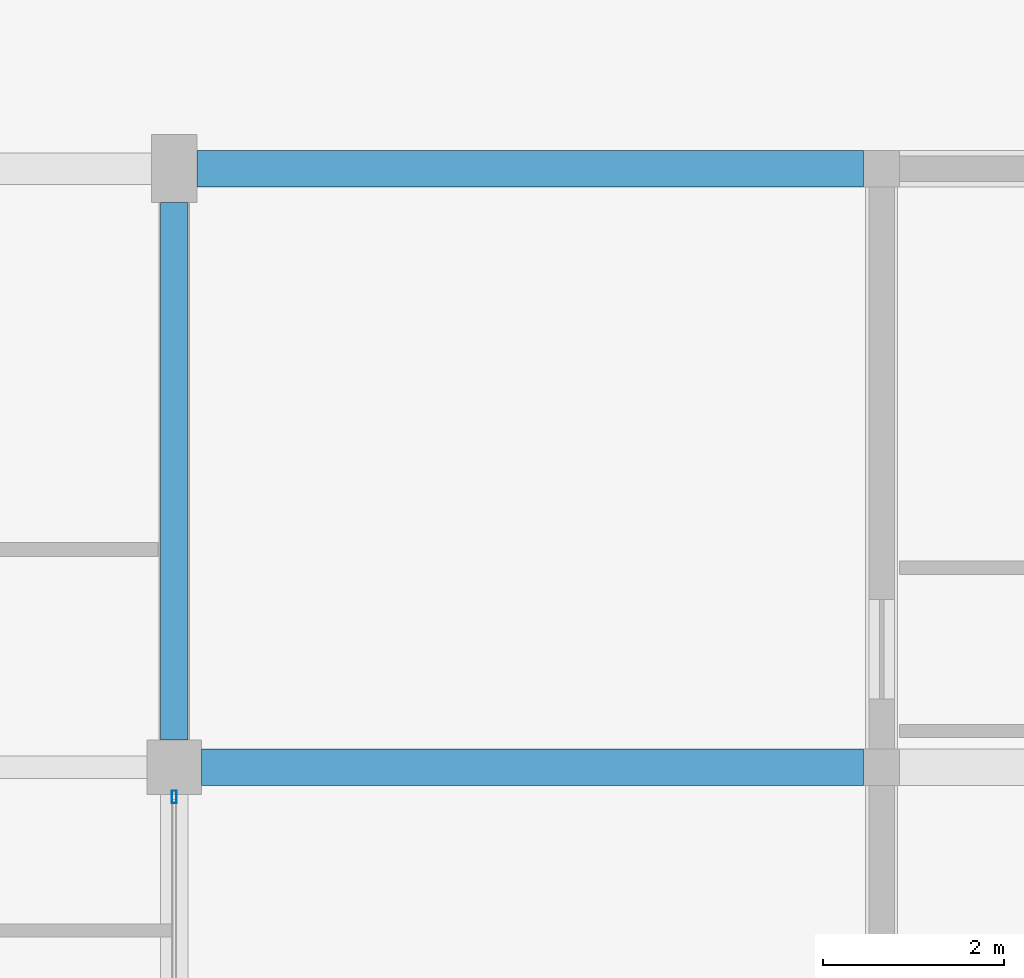
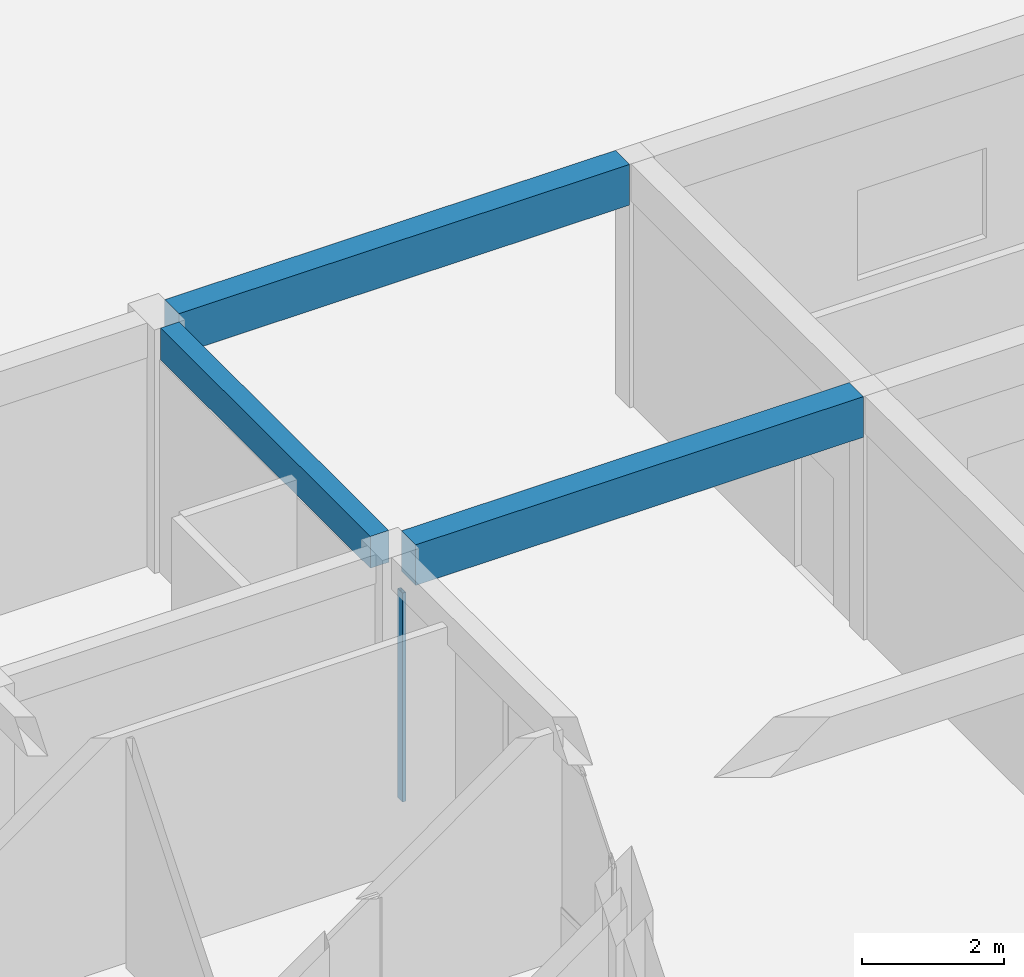
# One storey, part 39 of 92: 3 beams, 1 member, 1 element without a shape of its own.
"""IFC4 building model written with IfcOpenShell, lengths in metres."""

from ifc_helpers import new_model, si_unit, direction, frame, origin, origin_2d, place, context, subcontext, project, spatial, rectangle, hollow_rectangle, extrude, material, material_profile, profile_set, type_object, element, aggregate, save


model = new_model("IFC4")

# Units and contexts
model_context = context("Model", 3, precision=1e-05, world=origin(), true_north=direction((0.0, 1.0)))
body_context = subcontext(model_context, "Body", "Model", "MODEL_VIEW")
ifc_project = project(units=[si_unit("LENGTHUNIT", "METRE"), si_unit("AREAUNIT", "SQUARE_METRE"), si_unit("VOLUMEUNIT", "CUBIC_METRE"), si_unit("PLANEANGLEUNIT", "RADIAN"), si_unit("MASSUNIT", "GRAM", prefix="KILO")], contexts=[model_context])

# Site, building, storey
site_placement = place(None, origin())
site = spatial("IfcSite", under=ifc_project, at=site_placement, CompositionType="ELEMENT")
building_placement = place(site_placement, origin())
building = spatial("IfcBuilding", under=site, at=building_placement, Name="Kernevlak Ridge Housing Community", CompositionType="ELEMENT")
storey_placement = place(building_placement, frame((0.0, 0.0, 4.199951171875)))
storey = spatial("IfcBuildingStorey", under=building, at=storey_placement, Name="L01", CompositionType="ELEMENT", Elevation=4.199951171875)

# Beams
ifc_material_1 = material(Name="Concrete C35/45", Category="concrete")
ifc_material_profile_1 = material_profile(ifc_material_1, rectangle(XDim=0.39990234375, YDim=0.699951171875, at=origin_2d()), Name="RC 400x700")
ifc_profile_set_1 = profile_set([ifc_material_profile_1], Name="Concrete C35/45")
beam_type_1 = type_object("IfcBeamType", Name="B-01", PredefinedType="BEAM", material=ifc_profile_set_1)
beam_1_placement = place(storey_placement, frame((48.89990234375, 89.199951171875, 3.85009765625), z_axis=(1.0, 0.0, 0.0), x_axis=(0.0, 1.0, 0.0)))
element("IfcBeam", 1, at=beam_1_placement, inside=storey, type_object=beam_type_1, Name="Beam B-01 L01 2428", PredefinedType="BEAM", context=body_context, shape_type="SweptSolid", body=[
    extrude(rectangle(XDim=0.39990234375, YDim=0.699951171875, at=origin_2d()), origin(), (0.0, 0.0, 1.0), 7.300048828125),
])
beam_2_placement = place(storey_placement, frame((48.85009765625, 95.800048828125, 3.85009765625), z_axis=(1.0, 0.0, 0.0), x_axis=(0.0, 1.0, 0.0)))
element("IfcBeam", 2, at=beam_2_placement, inside=storey, type_object=beam_type_1, Name="Beam B-01 L01 2433", PredefinedType="BEAM", context=body_context, shape_type="SweptSolid", body=[
    extrude(rectangle(XDim=0.39990234375, YDim=0.699951171875, at=origin_2d()), origin(), (0.0, 0.0, 1.0), 7.349853515625),
])

# Curtain wall, member
ifc_material_2 = material(Name="Aluminium EN AW-6060 anodised and laminated glass", Category="aluminium")
curtain_wall_type = type_object("IfcCurtainWallType", Name="CW-11", PredefinedType="NOTDEFINED", material=ifc_material_2)
curtain_wall_placement = place(storey_placement, origin())
curtain_wall = element("IfcCurtainWall", 3, at=curtain_wall_placement, inside=storey, type_object=curtain_wall_type, Name="Curtain wall CW-11 CW-L01-006", PredefinedType="NOTDEFINED")
ifc_material_3 = material(Name="Aluminium EN AW-6060 anodised", Category="aluminium")
ifc_material_profile_2 = material_profile(ifc_material_3, hollow_rectangle(XDim=0.054931640625, YDim=0.139892578125, WallThickness=0.00390625, InnerFilletRadius=0.001953125, OuterFilletRadius=0.00390625, at=origin_2d()), Name="ALU 55x140x4")
ifc_profile_set_2 = profile_set([ifc_material_profile_2], Name="Aluminium EN AW-6060 anodised")
member_type = type_object("IfcMemberType", Name="MU-01", PredefinedType="MULLION", material=ifc_profile_set_2)
member_placement = place(storey_placement, frame((48.60009765625, 88.87255859375, 0.0), z_axis=(0.0, 0.0, 1.0), x_axis=(-1.0, 0.0, 0.0)))
member = element("IfcMember", 4, at=member_placement, type_object=member_type, Name="CW-11 mullion 3", PredefinedType="MULLION", context=body_context, shape_type="SweptSolid", body=[
    extrude(hollow_rectangle(XDim=0.054931640625, YDim=0.139892578125, WallThickness=0.00390625, InnerFilletRadius=0.001953125, OuterFilletRadius=0.00390625, at=origin_2d()), origin(), (0.0, 0.0, 1.0), 3.60009765625),
])
aggregate(curtain_wall, [member])

# Beam
ifc_material_profile_3 = material_profile(ifc_material_1, rectangle(XDim=0.300048828125, YDim=0.550048828125, at=origin_2d()), Name="RC 300x550")
ifc_profile_set_3 = profile_set([ifc_material_profile_3], Name="Concrete C35/45")
beam_type_2 = type_object("IfcBeamType", Name="SP-01", PredefinedType="SPANDREL", material=ifc_profile_set_3)
beam_3_placement = place(storey_placement, frame((48.60009765625, 89.5, 3.925048828125), z_axis=(0.0, 1.0, 0.0), x_axis=(-1.0, 0.0, 0.0)))
element("IfcBeam", 5, at=beam_3_placement, inside=storey, type_object=beam_type_2, Name="Beam SP-01 L01 108", PredefinedType="SPANDREL", context=body_context, shape_type="SweptSolid", body=[
    extrude(rectangle(XDim=0.300048828125, YDim=0.550048828125, at=origin_2d()), origin(), (0.0, 0.0, 1.0), 5.925048828125),
])

save(model, "model.ifc")
